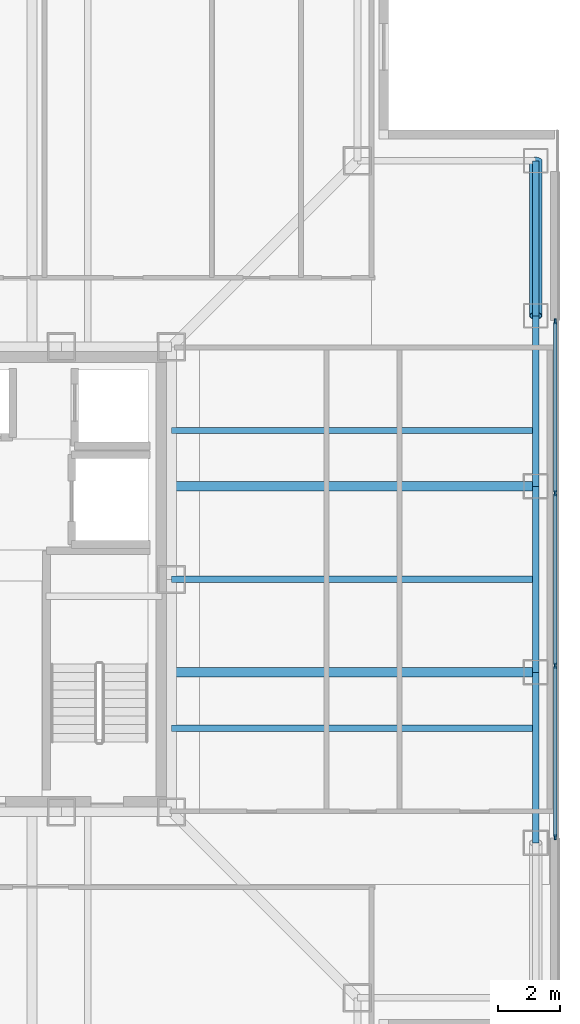
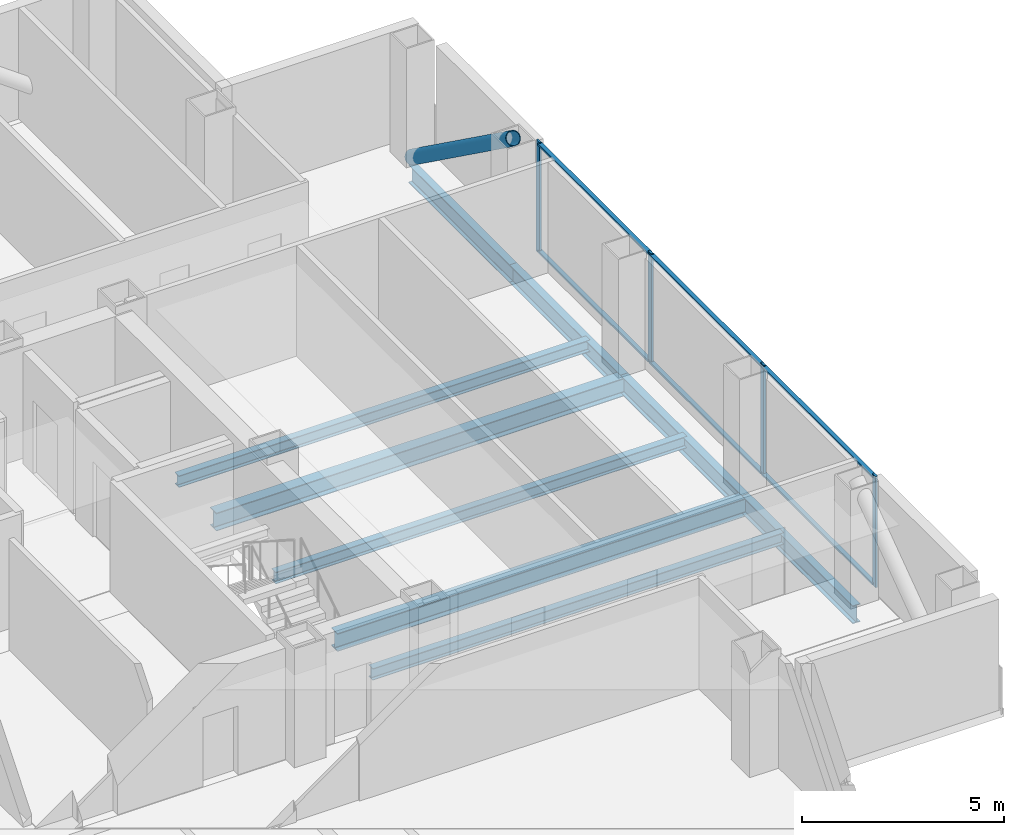
# One storey, part 6 of 16: 11 members, 9 beams, 1 element without a shape of its own.
"""IFC4 building model written with IfcOpenShell, lengths in metres."""

import ifcopenshell
import ifcopenshell.guid

model = None  # the IFC model being written
_history = None  # IfcOwnerHistory: only IFC2X3 demands one
_inside = {}  # id of a spatial element -> (the spatial element, [elements in it])
_under = {}  # id of a project, library or spatial element -> (it, [spatial elements below it])
_declared = {}  # id of a project -> (the project, [libraries it declares])
_typed = {}  # id of a type object -> (the type object, [elements of that type])
_made_of = {}  # id of a material, layer set ... -> (it, [elements and type objects made of it])


def new_model(schema):
    """Start an empty IFC model of exactly this schema.

    Asked for "IFC4X3", IfcOpenShell would pick the latest addendum, in which some entities
    have other attributes; the version numbers below select the first issue.
    IFC2X3 requires an IfcOwnerHistory on every rooted entity: one is made here for all.
    """
    global model, _history
    if schema == "IFC4X3":
        model = ifcopenshell.file(schema_version=(4, 3, 0, 0))
    else:
        model = ifcopenshell.file(schema=schema)
    _inside.clear()
    _under.clear()
    _declared.clear()
    _typed.clear()
    _made_of.clear()
    _history = None
    if model.schema == "IFC2X3":
        org = make("IfcOrganization", Name="unknown")
        user = make(
            "IfcPersonAndOrganization",
            ThePerson=make("IfcPerson", FamilyName="unknown"),
            TheOrganization=org,
        )
        app = make(
            "IfcApplication",
            ApplicationDeveloper=org,
            Version="unknown",
            ApplicationFullName="unknown",
            ApplicationIdentifier="unknown",
        )
        _history = make(
            "IfcOwnerHistory",
            OwningUser=user,
            OwningApplication=app,
            ChangeAction="ADDED",
            CreationDate=0,
        )
    return model


def make(cls, **values):
    """One entity of the class cls with the attributes given. An attribute that is None is left unset."""
    return model.create_entity(
        cls, **{name: value for name, value in values.items() if value is not None}
    )


def rooted(cls, **values):
    """An entity with a GlobalId (a new one), such as an element, a storey or a relation."""
    return make(cls, GlobalId=ifcopenshell.guid.new(), OwnerHistory=_history, **values)


def si_unit(unit_type, name, prefix=None):
    """IfcSIUnit, for example si_unit("LENGTHUNIT", "METRE", prefix="MILLI")."""
    return make("IfcSIUnit", UnitType=unit_type, Prefix=prefix, Name=name)


def assignment(units):
    """IfcUnitAssignment: the units of a project."""
    return None if units is None else make("IfcUnitAssignment", Units=units)


def point(xyz):
    """IfcCartesianPoint."""
    return None if xyz is None else make("IfcCartesianPoint", Coordinates=xyz)


def direction(xyz):
    """IfcDirection."""
    return None if xyz is None else make("IfcDirection", DirectionRatios=xyz)


def frame(location, z_axis=None, x_axis=None):
    """IfcAxis2Placement3D, a coordinate frame: its origin and axes. An axis left out is left unset."""
    return make(
        "IfcAxis2Placement3D",
        Location=point(location),
        Axis=direction(z_axis),
        RefDirection=direction(x_axis),
    )


def frame_2d(location, x_axis=None):
    """IfcAxis2Placement2D, a coordinate frame in the plane: its origin and x axis."""
    return make(
        "IfcAxis2Placement2D", Location=point(location), RefDirection=direction(x_axis)
    )


def origin():
    """The frame at (0, 0, 0) with its axes left unset."""
    return frame((0.0, 0.0, 0.0))


def origin_2d():
    """The frame at (0, 0) in the plane with its x axis left unset."""
    return frame_2d((0.0, 0.0))


def place(relative_to, where):
    """IfcLocalPlacement: puts the frame where relative to a parent placement (None: the world)."""
    return make(
        "IfcLocalPlacement", PlacementRelTo=relative_to, RelativePlacement=where
    )


def context(
    kind, dimensions, precision=None, world=None, true_north=None, identifier=None
):
    """IfcGeometricRepresentationContext, for example the 3D "Model" context."""
    return make(
        "IfcGeometricRepresentationContext",
        ContextIdentifier=identifier,
        ContextType=kind,
        CoordinateSpaceDimension=dimensions,
        Precision=precision,
        WorldCoordinateSystem=world,
        TrueNorth=true_north,
    )


def subcontext(parent, identifier, kind, view, scale=None):
    """IfcGeometricRepresentationSubContext, for example "Body" below "Model"."""
    return make(
        "IfcGeometricRepresentationSubContext",
        ContextIdentifier=identifier,
        ContextType=kind,
        ParentContext=parent,
        TargetScale=scale,
        TargetView=view,
    )


def project(units=None, contexts=None):
    """IfcProject with its units and contexts."""
    return rooted(
        "IfcProject",
        Name="project",
        RepresentationContexts=contexts,
        UnitsInContext=assignment(units),
    )


def spatial(cls, under=None, at=None, **own):
    """A site, building, storey or space (cls), placed at a placement, below another one or the project."""
    s = rooted(cls, ObjectPlacement=at, **own)
    if under is not None:
        _under.setdefault(under.id(), (under, []))[1].append(s)
    return s


def profile(cls, at=None, kind="AREA", **sizes):
    """A parametric profile (cls). Its sizes go by their IFC names, for example OverallWidth=200.0."""
    return make(cls, ProfileType=kind, Position=at, **sizes)


def rectangle(**sizes):
    """IfcRectangleProfileDef."""
    return profile("IfcRectangleProfileDef", **sizes)


def hollow_circle(**sizes):
    """IfcCircleHollowProfileDef."""
    return profile("IfcCircleHollowProfileDef", **sizes)


def i_section(**sizes):
    """IfcIShapeProfileDef."""
    return profile("IfcIShapeProfileDef", **sizes)


def extrude(swept, where, along, depth):
    """IfcExtrudedAreaSolid: the profile swept, set in the frame where, extruded along a direction by depth."""
    return make(
        "IfcExtrudedAreaSolid",
        SweptArea=swept,
        Position=where,
        ExtrudedDirection=direction(along),
        Depth=depth,
    )


def shape(context_of_items, identifier, shape_type, items):
    """IfcShapeRepresentation: the items that make up one representation, for example the "Body"."""
    return make(
        "IfcShapeRepresentation",
        ContextOfItems=context_of_items,
        RepresentationIdentifier=identifier,
        RepresentationType=shape_type,
        Items=items,
    )


def material(Name=None, Category=None):
    """IfcMaterial."""
    return make("IfcMaterial", Name=Name, Category=Category)


def layer(
    of_material, thickness, ventilated=None, Name=None, Category=None, Priority=None
):
    """IfcMaterialLayer: one layer of a wall or slab, of a material (None: an air gap)."""
    return make(
        "IfcMaterialLayer",
        Material=of_material,
        LayerThickness=thickness,
        IsVentilated=ventilated,
        Name=Name,
        Category=Category,
        Priority=Priority,
    )


def layer_set(layers, Name=None):
    """IfcMaterialLayerSet."""
    return make("IfcMaterialLayerSet", MaterialLayers=layers, LayerSetName=Name)


def material_profile(
    of_material, cross_section, Name=None, Category=None, Priority=None
):
    """IfcMaterialProfile: a cross section and its material."""
    return make(
        "IfcMaterialProfile",
        Name=Name,
        Material=of_material,
        Profile=cross_section,
        Priority=Priority,
        Category=Category,
    )


def profile_set(profiles, Name=None, composite=None):
    """IfcMaterialProfileSet."""
    return make(
        "IfcMaterialProfileSet",
        Name=Name,
        MaterialProfiles=profiles,
        CompositeProfile=composite,
    )


def made_of(thing, what):
    """Note that an element or type object is made of a material, layer set ...; save() writes the relation."""
    if what is not None:
        _made_of.setdefault(what.id(), (what, []))[1].append(thing)
    return thing


def type_object(cls, material=None, **own):
    """A type object (cls), such as IfcWallType, which elements share."""
    return made_of(rooted(cls, **own), material)


def element(
    cls,
    number,
    at=None,
    inside=None,
    cuts=None,
    type_object=None,
    material=None,
    context=None,
    identifier="Body",
    shape_type=None,
    held_by="IfcProductDefinitionShape",
    body=None,
    shapes=None,
    **own,
):
    """One element of the class cls, such as IfcWall. Its Tag is "e" and its number.

    at: its placement. inside: the storey or other place that contains it. cuts: it is an
    opening in that element (IfcRelVoidsElement). A single representation is given by context,
    identifier, shape_type and body (its items); several are given by shapes. held_by: the class
    of the entity that holds the representations. save() writes the other relations.
    """
    e = rooted(cls, Tag="e%d" % number, ObjectPlacement=at, **own)
    if body is not None:
        shapes = [shape(context, identifier, shape_type, body)]
    if shapes is not None:
        e.Representation = make(held_by, Representations=shapes)
    if inside is not None:
        _inside.setdefault(inside.id(), (inside, []))[1].append(e)
    if cuts is not None:
        rooted(
            "IfcRelVoidsElement", RelatingBuildingElement=cuts, RelatedOpeningElement=e
        )
    if type_object is not None:
        _typed.setdefault(type_object.id(), (type_object, []))[1].append(e)
    return made_of(e, material)


def aggregate(whole, parts):
    """IfcRelAggregates: a whole, such as a stair, and the parts it consists of."""
    return rooted("IfcRelAggregates", RelatingObject=whole, RelatedObjects=parts)


def save(model, path):
    """Write the relations noted so far, then the file.

    IfcRelAggregates (storeys below a building ...), IfcRelContainedInSpatialStructure (elements
    in a storey), IfcRelDefinesByType, IfcRelAssociatesMaterial and IfcRelDeclares: one each for
    every whole, place, type object, material and project.
    """
    for whole, parts in _under.values():
        aggregate(whole, parts)
    for where, things in _inside.values():
        rooted(
            "IfcRelContainedInSpatialStructure",
            RelatedElements=things,
            RelatingStructure=where,
        )
    for kind, things in _typed.values():
        rooted("IfcRelDefinesByType", RelatedObjects=things, RelatingType=kind)
    for what, things in _made_of.values():
        rooted("IfcRelAssociatesMaterial", RelatedObjects=things, RelatingMaterial=what)
    for by, libraries in _declared.values():
        rooted("IfcRelDeclares", RelatingContext=by, RelatedDefinitions=libraries)
    model.write(path)


model = new_model("IFC4")

# Units and contexts
model_context = context("Model", 3, precision=1e-05, world=origin(), true_north=direction((0.0, 1.0)))
body_context = subcontext(model_context, "Body", "Model", "MODEL_VIEW")
ifc_project = project(units=[si_unit("LENGTHUNIT", "METRE"), si_unit("AREAUNIT", "SQUARE_METRE"), si_unit("VOLUMEUNIT", "CUBIC_METRE"), si_unit("PLANEANGLEUNIT", "RADIAN"), si_unit("MASSUNIT", "GRAM", prefix="KILO")], contexts=[model_context])

# Site, building, storey
site_placement = place(None, origin())
site = spatial("IfcSite", under=ifc_project, at=site_placement, CompositionType="ELEMENT")
building_placement = place(site_placement, origin())
building = spatial("IfcBuilding", under=site, at=building_placement, Name="Trevonay Congress Spire", CompositionType="ELEMENT")
storey_placement = place(building_placement, frame((0.0, 0.0, 180.60009765625)))
storey = spatial("IfcBuildingStorey", under=building, at=storey_placement, Name="L46", CompositionType="ELEMENT", Elevation=180.60009765625)

# Beams
ifc_material_1 = material(Name="Steel ASTM A572 Grade 50", Category="steel")
ifc_material_profile_1 = material_profile(ifc_material_1, i_section(OverallWidth=0.31201171875, OverallDepth=0.54296875, WebThickness=0.0126953125, FlangeThickness=0.020263671875, FilletRadius=0.014892578125, at=origin_2d()), Name="W530x150")
ifc_profile_set_1 = profile_set([ifc_material_profile_1], Name="Steel ASTM A572 Grade 50")
beam_type_1 = type_object("IfcBeamType", Name="BM-GIRD-W530X150", PredefinedType="BEAM", material=ifc_profile_set_1)
for number, where, z_axis, x_axis, name in (
    (1, (7.5, -3.0, -0.51171875), (1.0, 0.0, 0.0), (0.0, 1.0, 0.0), "L46 structural beam BM-L46-GE-M"),
    (2, (7.5, 3.0, -0.51171875), (1.0, 0.0, 0.0), (0.0, 1.0, 0.0), "L46 structural beam BM-L46-GE-P"),
):
    element("IfcBeam", number, at=place(storey_placement, frame(where, z_axis=z_axis, x_axis=x_axis)), inside=storey, type_object=beam_type_1, Name=name, PredefinedType="BEAM", context=body_context, shape_type="SweptSolid", body=[
        extrude(i_section(OverallWidth=0.31201171875, OverallDepth=0.54296875, WebThickness=0.0126953125, FlangeThickness=0.020263671875, FilletRadius=0.014892578125, at=origin_2d()), origin(), (0.0, 0.0, 1.0), 11.75),
    ])
ifc_material_profile_2 = material_profile(ifc_material_1, i_section(OverallWidth=0.2119140625, OverallDepth=0.5439453125, WebThickness=0.01318359375, FlangeThickness=0.021240234375, FilletRadius=0.014892578125, at=origin_2d()), Name="W530x123")
ifc_profile_set_2 = profile_set([ifc_material_profile_2], Name="Steel ASTM A572 Grade 50")
beam_type_2 = type_object("IfcBeamType", Name="BM-RING-W530X123", PredefinedType="BEAM", material=ifc_profile_set_2)
beam_1_placement = place(storey_placement, frame((19.25, -8.5, -0.51220703125), z_axis=(0.0, 1.0, 0.0), x_axis=(-1.0, 0.0, 0.0)))
element("IfcBeam", 3, at=beam_1_placement, inside=storey, type_object=beam_type_2, Name="L46 structural beam BM-L46-PE2", PredefinedType="BEAM", context=body_context, shape_type="SweptSolid", body=[
    extrude(i_section(OverallWidth=0.2119140625, OverallDepth=0.5439453125, WebThickness=0.01318359375, FlangeThickness=0.021240234375, FilletRadius=0.014892578125, at=origin_2d()), origin(), (0.0, 0.0, 1.0), 5.5),
])
beam_2_placement = place(storey_placement, frame((19.25, -3.0, -0.51220703125), z_axis=(0.0, 1.0, 0.0), x_axis=(-1.0, 0.0, 0.0)))
element("IfcBeam", 4, at=beam_2_placement, inside=storey, type_object=beam_type_2, Name="L46 structural beam BM-L46-PE3", PredefinedType="BEAM", context=body_context, shape_type="SweptSolid", body=[
    extrude(i_section(OverallWidth=0.2119140625, OverallDepth=0.5439453125, WebThickness=0.01318359375, FlangeThickness=0.021240234375, FilletRadius=0.014892578125, at=origin_2d()), origin(), (0.0, 0.0, 1.0), 6.0),
])
beam_3_placement = place(storey_placement, frame((19.25, 3.0, -0.51220703125), z_axis=(0.0, 1.0, 0.0), x_axis=(-1.0, 0.0, 0.0)))
element("IfcBeam", 5, at=beam_3_placement, inside=storey, type_object=beam_type_2, Name="L46 structural beam BM-L46-PE4", PredefinedType="BEAM", context=body_context, shape_type="SweptSolid", body=[
    extrude(i_section(OverallWidth=0.2119140625, OverallDepth=0.5439453125, WebThickness=0.01318359375, FlangeThickness=0.021240234375, FilletRadius=0.014892578125, at=origin_2d()), origin(), (0.0, 0.0, 1.0), 5.5),
])
beam_4_placement = place(storey_placement, frame((19.25, 8.5, -0.51220703125), z_axis=(0.0, 1.0, 0.0), x_axis=(-1.0, 0.0, 0.0)))
element("IfcBeam", 6, at=beam_4_placement, inside=storey, type_object=beam_type_2, Name="L46 structural beam BM-L46-PE5", PredefinedType="BEAM", context=body_context, shape_type="SweptSolid", body=[
    extrude(i_section(OverallWidth=0.2119140625, OverallDepth=0.5439453125, WebThickness=0.01318359375, FlangeThickness=0.021240234375, FilletRadius=0.014892578125, at=origin_2d()), origin(), (0.0, 0.0, 1.0), 5.0),
])

# Curtain wall, members
ifc_material_2 = material(Name="Pale Anodised Aluminium EN AW-6063-T6", Category="aluminium")
ifc_layer = layer(ifc_material_2, 0.169921875, Name="Pale Anodised Aluminium EN AW-6063-T6")
ifc_layer_set = layer_set([ifc_layer], Name="Pale Anodised Aluminium EN AW-6063-T6")
curtain_wall_type = type_object("IfcCurtainWallType", Name="CW-SYS04-CORP-PALE-METAL", PredefinedType="NOTDEFINED", material=ifc_layer_set)
curtain_wall_placement = place(storey_placement, origin())
curtain_wall = element("IfcCurtainWall", 7, at=curtain_wall_placement, inside=storey, type_object=curtain_wall_type, Name="L46 E unitised curtain wall", PredefinedType="NOTDEFINED")
ifc_material_profile_3 = material_profile(ifc_material_2, rectangle(XDim=0.06005859375, YDim=0.159912109375, at=origin_2d()), Name="CW-MULLION-160-ALUMINIUM")
ifc_profile_set_3 = profile_set([ifc_material_profile_3], Name="Pale Anodised Aluminium EN AW-6063-T6")
member_type_1 = type_object("IfcMemberType", Name="CW-MULLION-160-ALUMINIUM", PredefinedType="MULLION", material=ifc_profile_set_3)
member_1_placement = place(storey_placement, frame((19.8798828125, -8.320068359375, 0.0), z_axis=(0.0, 0.0, 1.0), x_axis=(-1.0, 0.0, 0.0)))
member_1 = element("IfcMember", 8, at=member_1_placement, type_object=member_type_1, Name="CW04 mullion 1", PredefinedType="MULLION", context=body_context, shape_type="SweptSolid", body=[
    extrude(rectangle(XDim=0.06005859375, YDim=0.159912109375, at=origin_2d()), origin(), (0.0, 0.0, 1.0), 3.35986328125),
])
member_2_placement = place(storey_placement, frame((19.8798828125, -2.783447265625, 0.0), z_axis=(0.0, 0.0, 1.0), x_axis=(-1.0, 0.0, 0.0)))
member_2 = element("IfcMember", 9, at=member_2_placement, type_object=member_type_1, Name="CW04 mullion 2", PredefinedType="MULLION", context=body_context, shape_type="SweptSolid", body=[
    extrude(rectangle(XDim=0.06005859375, YDim=0.159912109375, at=origin_2d()), origin(), (0.0, 0.0, 1.0), 3.35986328125),
])
member_3_placement = place(storey_placement, frame((19.8798828125, 2.783447265625, 0.0), z_axis=(0.0, 0.0, 1.0), x_axis=(-1.0, 0.0, 0.0)))
member_3 = element("IfcMember", 10, at=member_3_placement, type_object=member_type_1, Name="CW04 mullion 3", PredefinedType="MULLION", context=body_context, shape_type="SweptSolid", body=[
    extrude(rectangle(XDim=0.06005859375, YDim=0.159912109375, at=origin_2d()), origin(), (0.0, 0.0, 1.0), 3.35986328125),
])
member_4_placement = place(storey_placement, frame((19.8798828125, 8.320068359375, 0.0), z_axis=(0.0, 0.0, 1.0), x_axis=(-1.0, 0.0, 0.0)))
member_4 = element("IfcMember", 11, at=member_4_placement, type_object=member_type_1, Name="CW04 mullion 4", PredefinedType="MULLION", context=body_context, shape_type="SweptSolid", body=[
    extrude(rectangle(XDim=0.06005859375, YDim=0.159912109375, at=origin_2d()), origin(), (0.0, 0.0, 1.0), 3.35986328125),
])
ifc_material_profile_4 = material_profile(ifc_material_2, rectangle(XDim=0.1201171875, YDim=0.06005859375, at=origin_2d()), Name="CW-TRANSOM-120-ALUMINIUM")
ifc_profile_set_4 = profile_set([ifc_material_profile_4], Name="Pale Anodised Aluminium EN AW-6063-T6")
member_type_2 = type_object("IfcMemberType", Name="CW-TRANSOM-120-ALUMINIUM", PredefinedType="USERDEFINED", material=ifc_profile_set_4)
member_5_placement = place(storey_placement, frame((19.8798828125, -8.2900390625, 0.059814453125), z_axis=(0.0, 1.0, 0.0), x_axis=(-1.0, 0.0, 0.0)))
member_5 = element("IfcMember", 12, at=member_5_placement, type_object=member_type_2, Name="CW04 transom 1.1", ObjectType="TRANSOM", PredefinedType="USERDEFINED", context=body_context, shape_type="SweptSolid", body=[
    extrude(rectangle(XDim=0.1201171875, YDim=0.06005859375, at=origin_2d()), origin(), (0.0, 0.0, 1.0), 5.476806640625),
])
member_6_placement = place(storey_placement, frame((19.8798828125, -8.2900390625, 3.2998046875), z_axis=(0.0, 1.0, 0.0), x_axis=(-1.0, 0.0, 0.0)))
member_6 = element("IfcMember", 13, at=member_6_placement, type_object=member_type_2, Name="CW04 transom 1.2", ObjectType="TRANSOM", PredefinedType="USERDEFINED", context=body_context, shape_type="SweptSolid", body=[
    extrude(rectangle(XDim=0.1201171875, YDim=0.06005859375, at=origin_2d()), origin(), (0.0, 0.0, 1.0), 5.476806640625),
])
member_7_placement = place(storey_placement, frame((19.8798828125, -2.75341796875, 0.059814453125), z_axis=(0.0, 1.0, 0.0), x_axis=(-1.0, 0.0, 0.0)))
member_7 = element("IfcMember", 14, at=member_7_placement, type_object=member_type_2, Name="CW04 transom 2.1", ObjectType="TRANSOM", PredefinedType="USERDEFINED", context=body_context, shape_type="SweptSolid", body=[
    extrude(rectangle(XDim=0.1201171875, YDim=0.06005859375, at=origin_2d()), origin(), (0.0, 0.0, 1.0), 5.5068359375),
])
member_8_placement = place(storey_placement, frame((19.8798828125, -2.75341796875, 3.2998046875), z_axis=(0.0, 1.0, 0.0), x_axis=(-1.0, 0.0, 0.0)))
member_8 = element("IfcMember", 15, at=member_8_placement, type_object=member_type_2, Name="CW04 transom 2.2", ObjectType="TRANSOM", PredefinedType="USERDEFINED", context=body_context, shape_type="SweptSolid", body=[
    extrude(rectangle(XDim=0.1201171875, YDim=0.06005859375, at=origin_2d()), origin(), (0.0, 0.0, 1.0), 5.5068359375),
])
member_9_placement = place(storey_placement, frame((19.8798828125, 2.813232421875, 0.059814453125), z_axis=(0.0, 1.0, 0.0), x_axis=(-1.0, 0.0, 0.0)))
member_9 = element("IfcMember", 16, at=member_9_placement, type_object=member_type_2, Name="CW04 transom 3.1", ObjectType="TRANSOM", PredefinedType="USERDEFINED", context=body_context, shape_type="SweptSolid", body=[
    extrude(rectangle(XDim=0.1201171875, YDim=0.06005859375, at=origin_2d()), origin(), (0.0, 0.0, 1.0), 5.476806640625),
])
member_10_placement = place(storey_placement, frame((19.8798828125, 2.813232421875, 3.2998046875), z_axis=(0.0, 1.0, 0.0), x_axis=(-1.0, 0.0, 0.0)))
member_10 = element("IfcMember", 17, at=member_10_placement, type_object=member_type_2, Name="CW04 transom 3.2", ObjectType="TRANSOM", PredefinedType="USERDEFINED", context=body_context, shape_type="SweptSolid", body=[
    extrude(rectangle(XDim=0.1201171875, YDim=0.06005859375, at=origin_2d()), origin(), (0.0, 0.0, 1.0), 5.476806640625),
])
aggregate(curtain_wall, [member_1, member_2, member_3, member_4, member_5, member_6, member_7, member_8, member_9, member_10])

# Beams
ifc_material_profile_5 = material_profile(ifc_material_1, i_section(OverallWidth=0.205078125, OverallDepth=0.35400390625, WebThickness=0.009521484375, FlangeThickness=0.016845703125, FilletRadius=0.011962890625, at=origin_2d()), Name="W360x79")
ifc_profile_set_5 = profile_set([ifc_material_profile_5], Name="Steel ASTM A572 Grade 50")
beam_type_3 = type_object("IfcBeamType", Name="JS-COMP-W360X79", PredefinedType="JOIST", material=ifc_profile_set_5)
for number, where, z_axis, x_axis, name in (
    (18, (7.5, -4.800048828125, -0.4169921875), (1.0, 0.0, 0.0), (0.0, 1.0, 0.0), "L46 structural beam JS-L46-EW-E1"),
    (19, (7.5, 0.0, -0.4169921875), (1.0, 0.0, 0.0), (0.0, 1.0, 0.0), "L46 structural beam JS-L46-EW-E2"),
    (20, (7.5, 4.800048828125, -0.4169921875), (1.0, 0.0, 0.0), (0.0, 1.0, 0.0), "L46 structural beam JS-L46-EW-E3"),
):
    element("IfcBeam", number, at=place(storey_placement, frame(where, z_axis=z_axis, x_axis=x_axis)), inside=storey, type_object=beam_type_3, Name=name, PredefinedType="JOIST", context=body_context, shape_type="SweptSolid", body=[
        extrude(i_section(OverallWidth=0.205078125, OverallDepth=0.35400390625, WebThickness=0.009521484375, FlangeThickness=0.016845703125, FilletRadius=0.011962890625, at=origin_2d()), origin(), (0.0, 0.0, 1.0), 11.75),
    ])

# Member
ifc_material_3 = material(Name="Steel ASTM A500 Grade C", Category="steel")
ifc_material_profile_6 = material_profile(ifc_material_3, hollow_circle(Radius=0.203125, WallThickness=0.02001953125, at=origin_2d()), Name="CHS 406.4x20")
ifc_profile_set_6 = profile_set([ifc_material_profile_6], Name="Steel ASTM A500 Grade C")
member_type_3 = type_object("IfcMemberType", Name="MBR-TUBE-CHS406", PredefinedType="BRACE", material=ifc_profile_set_6)
member_11_placement = place(storey_placement, frame((19.25, 13.5, -0.050048828125), z_axis=(0.0, -0.811545615365, 0.584289067313), x_axis=(1.0, 0.0, 0.0)))
element("IfcMember", 21, at=member_11_placement, inside=storey, type_object=member_type_3, Name="L46 perimeter braced-tube diagonal E4", PredefinedType="BRACE", context=body_context, shape_type="SweptSolid", body=[
    extrude(hollow_circle(Radius=0.203125, WallThickness=0.02001953125, at=origin_2d()), origin(), (0.0, 0.0, 1.0), 6.1611328125),
])

save(model, "model.ifc")
